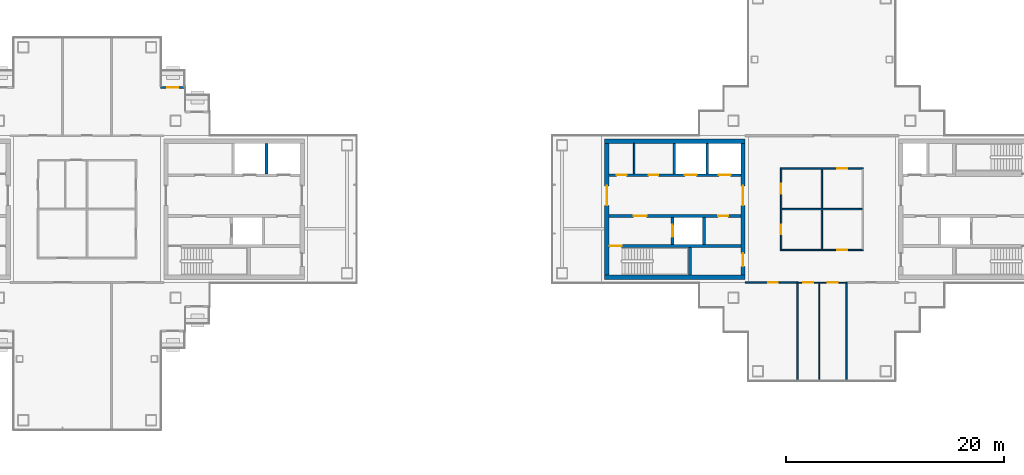
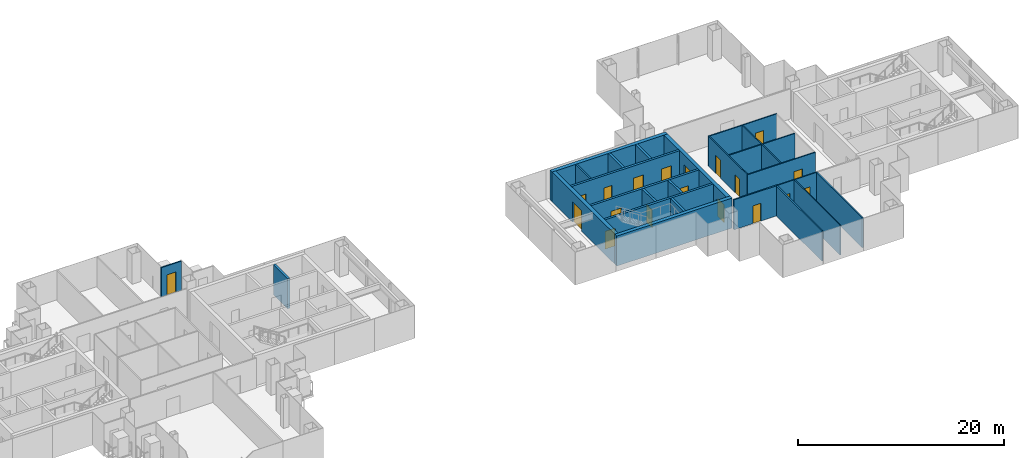
# One storey, part 10 of 15: 25 walls, 19 doors, 19 openings.
"""IFC4 building model written with IfcOpenShell, lengths in metres."""

from ifc_helpers import new_model, si_unit, direction, frame, frame_2d, origin, place, context, subcontext, project, spatial, rectangle, extrude, material, layer, layer_set, type_object, element, fill, save


model = new_model("IFC4")

# Units and contexts
model_context = context("Model", 3, precision=1e-05, world=origin(), true_north=direction((0.0, 1.0)))
body_context = subcontext(model_context, "Body", "Model", "MODEL_VIEW")
ifc_project = project(units=[si_unit("LENGTHUNIT", "METRE"), si_unit("AREAUNIT", "SQUARE_METRE"), si_unit("VOLUMEUNIT", "CUBIC_METRE"), si_unit("PLANEANGLEUNIT", "RADIAN"), si_unit("MASSUNIT", "GRAM", prefix="KILO")], contexts=[model_context])

# Site, building, storey
site_placement = place(None, origin())
site = spatial("IfcSite", under=ifc_project, at=site_placement, CompositionType="ELEMENT")
building_placement = place(site_placement, origin())
building = spatial("IfcBuilding", under=site, at=building_placement, Name="Shamsa Quay Exchange Towers", CompositionType="ELEMENT")
storey_placement = place(building_placement, frame((0.0, 0.0, 206.10009765625)))
storey = spatial("IfcBuildingStorey", under=building, at=storey_placement, Name="L49", CompositionType="ELEMENT", Elevation=206.10009765625)

# Wall, opening, door
ifc_material_1 = material(Name="Aluminium EN AW-6063 T6, black anodised, with black enamelled glass infill", Category="aluminium")
ifc_layer_1 = layer(ifc_material_1, 0.14990234375)
ifc_layer_set_1 = layer_set([ifc_layer_1], Name="BALCONY DOOR BAY WALL 150")
wall_type_1 = type_object("IfcWallType", Name="BALCONY DOOR BAY WALL 150", PredefinedType="SOLIDWALL", material=ifc_layer_set_1)
wall_1_placement = place(storey_placement, frame((-27.0, 11.175048828125, 0.0)))
wall_1 = element("IfcWall", 1, at=wall_1_placement, inside=storey, type_object=wall_type_1, Name="Door bay T1-PKEN L49", PredefinedType="SOLIDWALL", context=body_context, shape_type="SweptSolid", body=[
    extrude(rectangle(XDim=2.25, YDim=0.14990234375, at=frame_2d((1.125, 0.0))), origin(), (0.0, 0.0, 1.0), 3.449951171875),
])
opening_1_placement = place(wall_1_placement, frame((0.625, 0.0, 0.0)))
opening_1 = element("IfcOpeningElement", 2, at=opening_1_placement, cuts=wall_1, Name="Opening XD322", PredefinedType="OPENING", context=body_context, shape_type="SweptSolid", body=[
    extrude(rectangle(XDim=1.0, YDim=2.39990234375, at=frame_2d((0.5, 1.199951171875))), frame((0.0, 0.0849609375, 0.0), z_axis=(0.0, -1.0, 0.0), x_axis=(1.0, 0.0, 0.0)), (0.0, 0.0, 1.0), 0.169921875),
])
ifc_material_2 = material(Name="Aluminium EN AW-6063 T6, black anodised, with laminated glass leaf", Category="aluminium")
door_type_1 = type_object("IfcDoorType", Name="BALCONY DOOR 1000x2400", OperationType="SINGLE_SWING_LEFT", PredefinedType="DOOR", material=ifc_material_2)
door_1_placement = place(opening_1_placement, origin())
door_1 = element("IfcDoor", 3, at=door_1_placement, inside=storey, type_object=door_type_1, Name="Balcony door T1-PKEN L49", OperationType="SINGLE_SWING_LEFT", OverallHeight=2.39990234375, OverallWidth=1.0, PredefinedType="DOOR", context=body_context, shape_type="SweptSolid", body=[
    extrude(rectangle(XDim=1.0, YDim=2.39990234375, at=frame_2d((0.5, 1.199951171875))), frame((0.0, 0.02490234375, 0.0), z_axis=(0.0, -1.0, 0.0), x_axis=(1.0, 0.0, 0.0)), (0.0, 0.0, 1.0), 0.050048828125),
])
fill(opening_1, door_1)

# Walls
ifc_material_3 = material(Name="Concrete C60/75", Category="concrete")
ifc_layer_2 = layer(ifc_material_3, 0.39990234375)
ifc_layer_set_2 = layer_set([ifc_layer_2], Name="CORE WALL 400 C60/75")
wall_type_2 = type_object("IfcWallType", Name="CORE WALL 400 C60/75", PredefinedType="SHEAR", material=ifc_layer_set_2)
for number, where, name in (
    (4, (13.800048828125, -6.25, 0.0), "Core wall T2A-R22-PS"),
    (5, (13.800048828125, 6.25, 0.0), "Core wall T2A-R22-PN"),
):
    element("IfcWall", number, at=place(storey_placement, frame(where)), inside=storey, type_object=wall_type_2, Name=name, PredefinedType="SHEAR", context=body_context, shape_type="SweptSolid", body=[
        extrude(rectangle(XDim=12.89990234375, YDim=0.39990234375, at=frame_2d((6.449951171875, 0.0))), origin(), (0.0, 0.0, 1.0), 3.5498046875),
    ])

# Wall, opening, door
wall_2_placement = place(storey_placement, frame((14.0, 6.050048828125, 0.0), z_axis=(0.0, 0.0, 1.0), x_axis=(0.0, -1.0, 0.0)))
wall_2 = element("IfcWall", 6, at=wall_2_placement, inside=storey, type_object=wall_type_2, Name="Core wall T2A-R22-PF", PredefinedType="SHEAR", context=body_context, shape_type="SweptSolid", body=[
    extrude(rectangle(XDim=12.10009765625, YDim=0.39990234375, at=frame_2d((6.050048828125, 0.0))), origin(), (0.0, 0.0, 1.0), 3.5498046875),
])
opening_2_placement = place(wall_2_placement, frame((3.89990234375, 0.0, 0.0)))
opening_2 = element("IfcOpeningElement", 7, at=opening_2_placement, cuts=wall_2, Name="Opening T2A-R22-LBD01", PredefinedType="OPENING", context=body_context, shape_type="SweptSolid", body=[
    extrude(rectangle(XDim=1.800048828125, YDim=2.39990234375, at=frame_2d((0.89990234375, 1.199951171875))), frame((0.0, 0.2099609375, 0.0), z_axis=(0.0, -1.0, 0.0), x_axis=(1.0, 0.0, 0.0)), (0.0, 0.0, 1.0), 0.419921875),
])
ifc_material_4 = material(Name="Steel, fire rated", Category="steel")
door_type_2 = type_object("IfcDoorType", Name="LIFT LOBBY DOOR PAIR 1800", OperationType="DOUBLE_DOOR_SINGLE_SWING", PredefinedType="DOOR", material=ifc_material_4)
door_2_placement = place(opening_2_placement, origin())
door_2 = element("IfcDoor", 8, at=door_2_placement, inside=storey, type_object=door_type_2, Name="T2A-R22-LBD01", OperationType="DOUBLE_DOOR_SINGLE_SWING", OverallHeight=2.39990234375, OverallWidth=1.800048828125, PredefinedType="DOOR", context=body_context, shape_type="SweptSolid", body=[
    extrude(rectangle(XDim=1.800048828125, YDim=2.39990234375, at=frame_2d((0.89990234375, 1.199951171875))), frame((0.0, 0.02490234375, 0.0), z_axis=(0.0, -1.0, 0.0), x_axis=(1.0, 0.0, 0.0)), (0.0, 0.0, 1.0), 0.050048828125),
])
fill(opening_2, door_2)

# Wall, openings, doors
wall_3_placement = place(storey_placement, frame((26.5, 6.050048828125, 0.0), z_axis=(0.0, 0.0, 1.0), x_axis=(0.0, -1.0, 0.0)))
wall_3 = element("IfcWall", 9, at=wall_3_placement, inside=storey, type_object=wall_type_2, Name="Core wall T2A-R22-PB", PredefinedType="SHEAR", context=body_context, shape_type="SweptSolid", body=[
    extrude(rectangle(XDim=12.10009765625, YDim=0.39990234375, at=frame_2d((6.050048828125, 0.0))), origin(), (0.0, 0.0, 1.0), 3.5498046875),
])
opening_3_placement = place(wall_3_placement, frame((10.10009765625, 0.0, 0.0)))
opening_3 = element("IfcOpeningElement", 10, at=opening_3_placement, cuts=wall_3, Name="Opening T2A-R22-RD02", PredefinedType="OPENING", context=body_context, shape_type="SweptSolid", body=[
    extrude(rectangle(XDim=1.199951171875, YDim=2.10009765625, at=frame_2d((0.60009765625, 1.050048828125))), frame((0.0, 0.2099609375, 0.0), z_axis=(0.0, -1.0, 0.0), x_axis=(1.0, 0.0, 0.0)), (0.0, 0.0, 1.0), 0.419921875),
])
opening_4_placement = place(wall_3_placement, frame((3.89990234375, 0.0, 0.0)))
opening_4 = element("IfcOpeningElement", 11, at=opening_4_placement, cuts=wall_3, Name="Opening T2A-R22-LBD03", PredefinedType="OPENING", context=body_context, shape_type="SweptSolid", body=[
    extrude(rectangle(XDim=1.800048828125, YDim=2.39990234375, at=frame_2d((0.89990234375, 1.199951171875))), frame((0.0, 0.2099609375, 0.0), z_axis=(0.0, -1.0, 0.0), x_axis=(1.0, 0.0, 0.0)), (0.0, 0.0, 1.0), 0.419921875),
])
door_3_placement = place(opening_4_placement, origin())
door_3 = element("IfcDoor", 12, at=door_3_placement, inside=storey, type_object=door_type_2, Name="T2A-R22-LBD03", OperationType="DOUBLE_DOOR_SINGLE_SWING", OverallHeight=2.39990234375, OverallWidth=1.800048828125, PredefinedType="DOOR", context=body_context, shape_type="SweptSolid", body=[
    extrude(rectangle(XDim=1.800048828125, YDim=2.39990234375, at=frame_2d((0.89990234375, 1.199951171875))), frame((0.0, 0.02490234375, 0.0), z_axis=(0.0, -1.0, 0.0), x_axis=(1.0, 0.0, 0.0)), (0.0, 0.0, 1.0), 0.050048828125),
])
fill(opening_4, door_3)
door_type_3 = type_object("IfcDoorType", Name="RISER ACCESS DOOR 1200", OperationType="SINGLE_SWING_LEFT", PredefinedType="DOOR", material=ifc_material_4)
door_4_placement = place(opening_3_placement, origin())
door_4 = element("IfcDoor", 13, at=door_4_placement, inside=storey, type_object=door_type_3, Name="T2A-R22-RD02", OperationType="SINGLE_SWING_RIGHT", OverallHeight=2.10009765625, OverallWidth=1.199951171875, PredefinedType="DOOR", context=body_context, shape_type="SweptSolid", body=[
    extrude(rectangle(XDim=1.199951171875, YDim=2.10009765625, at=frame_2d((0.60009765625, 1.050048828125))), frame((0.0, 0.02490234375, 0.0), z_axis=(0.0, -1.0, 0.0), x_axis=(1.0, 0.0, 0.0)), (0.0, 0.0, 1.0), 0.050048828125),
])
fill(opening_3, door_4)

# Wall
ifc_material_5 = material(Name="Gypsum board on steel studs, EI 60", Category="steel")
ifc_layer_3 = layer(ifc_material_5, 0.14990234375)
ifc_layer_set_3 = layer_set([ifc_layer_3], Name="FIRE PARTITION 150")
wall_type_3 = type_object("IfcWallType", Name="FIRE PARTITION 150", PredefinedType="PARTITIONING", material=ifc_layer_set_3)
wall_4_placement = place(storey_placement, frame((16.5, 3.25, 0.0), z_axis=(0.0, 0.0, 1.0), x_axis=(0.0, 1.0, 0.0)))
element("IfcWall", 14, at=wall_4_placement, inside=storey, type_object=wall_type_3, Name="Partition T2A-R22-FC0", PredefinedType="PARTITIONING", context=body_context, shape_type="SweptSolid", body=[
    extrude(rectangle(XDim=2.800048828125, YDim=0.14990234375, at=frame_2d((1.39990234375, 0.0))), origin(), (0.0, 0.0, 1.0), 3.5498046875),
])

# Wall, openings, doors
ifc_material_6 = material(Name="Laminated fire-resisting glass in a metal frame", Category="glass")
ifc_layer_4 = layer(ifc_material_6, 0.125)
ifc_layer_set_4 = layer_set([ifc_layer_4], Name="Glazed partition 125 mm EI 60")
wall_type_4 = type_object("IfcWallType", Name="Glazed partition 125 mm EI 60", PredefinedType="PARTITIONING", material=ifc_layer_set_4)
wall_5_placement = place(storey_placement, frame((30.0, 3.6875, 0.0), z_axis=(0.0, 0.0, 1.0), x_axis=(0.0, -1.0, 0.0)))
wall_5 = element("IfcWall", 15, at=wall_5_placement, inside=storey, type_object=wall_type_4, Name="Partition T2-R22-W01", PredefinedType="PARTITIONING", context=body_context, shape_type="SweptSolid", body=[
    extrude(rectangle(XDim=7.375, YDim=0.125, at=frame_2d((3.6875, 0.0))), origin(), (0.0, 0.0, 1.0), 3.5498046875),
])
opening_5_placement = place(wall_5_placement, frame((5.112548828125, 0.0, 0.0)))
opening_5 = element("IfcOpeningElement", 16, at=opening_5_placement, cuts=wall_5, Name="Opening T2-R22-D06", PredefinedType="OPENING", context=body_context, shape_type="SweptSolid", body=[
    extrude(rectangle(XDim=0.89990234375, YDim=2.10009765625, at=frame_2d((0.449951171875, 1.050048828125))), frame((0.0, 0.072509765625, 0.0), z_axis=(0.0, -1.0, 0.0), x_axis=(1.0, 0.0, 0.0)), (0.0, 0.0, 1.0), 0.14501953125),
])
opening_6_placement = place(wall_5_placement, frame((1.362548828125, 0.0, 0.0)))
opening_6 = element("IfcOpeningElement", 17, at=opening_6_placement, cuts=wall_5, Name="Opening T2-R22-D07", PredefinedType="OPENING", context=body_context, shape_type="SweptSolid", body=[
    extrude(rectangle(XDim=0.89990234375, YDim=2.10009765625, at=frame_2d((0.449951171875, 1.050048828125))), frame((0.0, 0.072509765625, 0.0), z_axis=(0.0, -1.0, 0.0), x_axis=(1.0, 0.0, 0.0)), (0.0, 0.0, 1.0), 0.14501953125),
])
ifc_material_7 = material(Name="Timber door leaf in a metal frame", Category="wood")
door_type_4 = type_object("IfcDoorType", Name="Door 900x2100 FD30S", OperationType="NOTDEFINED", PredefinedType="DOOR", material=ifc_material_7)
door_5_placement = place(opening_5_placement, origin())
door_5 = element("IfcDoor", 18, at=door_5_placement, inside=storey, type_object=door_type_4, Name="Door T2-R22-D06", OperationType="SINGLE_SWING_LEFT", OverallHeight=2.10009765625, OverallWidth=0.89990234375, PredefinedType="DOOR", context=body_context, shape_type="SweptSolid", body=[
    extrude(rectangle(XDim=0.89990234375, YDim=2.10009765625, at=frame_2d((0.449951171875, 1.050048828125))), frame((0.0, 0.02490234375, 0.0), z_axis=(0.0, -1.0, 0.0), x_axis=(1.0, 0.0, 0.0)), (0.0, 0.0, 1.0), 0.050048828125),
])
fill(opening_5, door_5)
door_6_placement = place(opening_6_placement, origin())
door_6 = element("IfcDoor", 19, at=door_6_placement, inside=storey, type_object=door_type_4, Name="Door T2-R22-D07", OperationType="SINGLE_SWING_LEFT", OverallHeight=2.10009765625, OverallWidth=0.89990234375, PredefinedType="DOOR", context=body_context, shape_type="SweptSolid", body=[
    extrude(rectangle(XDim=0.89990234375, YDim=2.10009765625, at=frame_2d((0.449951171875, 1.050048828125))), frame((0.0, 0.02490234375, 0.0), z_axis=(0.0, -1.0, 0.0), x_axis=(1.0, 0.0, 0.0)), (0.0, 0.0, 1.0), 0.050048828125),
])
fill(opening_6, door_6)

# Wall, opening, door
wall_6_placement = place(storey_placement, frame((37.5625, 3.75, 0.0), z_axis=(0.0, 0.0, 1.0), x_axis=(-1.0, 0.0, 0.0)))
wall_6 = element("IfcWall", 20, at=wall_6_placement, inside=storey, type_object=wall_type_4, Name="Partition T2-R22-W02", PredefinedType="PARTITIONING", context=body_context, shape_type="SweptSolid", body=[
    extrude(rectangle(XDim=7.625, YDim=0.125, at=frame_2d((3.8125, 0.0))), origin(), (0.0, 0.0, 1.0), 3.5498046875),
])
opening_7_placement = place(wall_6_placement, frame((1.487548828125, 0.0, 0.0)))
opening_7 = element("IfcOpeningElement", 21, at=opening_7_placement, cuts=wall_6, Name="Opening T2-R22-D08", PredefinedType="OPENING", context=body_context, shape_type="SweptSolid", body=[
    extrude(rectangle(XDim=0.89990234375, YDim=2.10009765625, at=frame_2d((0.449951171875, 1.050048828125))), frame((0.0, 0.072509765625, 0.0), z_axis=(0.0, -1.0, 0.0), x_axis=(1.0, 0.0, 0.0)), (0.0, 0.0, 1.0), 0.14501953125),
])
door_7_placement = place(opening_7_placement, origin())
door_7 = element("IfcDoor", 22, at=door_7_placement, inside=storey, type_object=door_type_4, Name="Door T2-R22-D08", OperationType="SINGLE_SWING_LEFT", OverallHeight=2.10009765625, OverallWidth=0.89990234375, PredefinedType="DOOR", context=body_context, shape_type="SweptSolid", body=[
    extrude(rectangle(XDim=0.89990234375, YDim=2.10009765625, at=frame_2d((0.449951171875, 1.050048828125))), frame((0.0, 0.02490234375, 0.0), z_axis=(0.0, -1.0, 0.0), x_axis=(1.0, 0.0, 0.0)), (0.0, 0.0, 1.0), 0.050048828125),
])
fill(opening_7, door_7)

wall_7_placement = place(storey_placement, frame((29.9375, -3.75, 0.0)))
wall_7 = element("IfcWall", 23, at=wall_7_placement, inside=storey, type_object=wall_type_4, Name="Partition T2-R22-W03", PredefinedType="PARTITIONING", context=body_context, shape_type="SweptSolid", body=[
    extrude(rectangle(XDim=7.625, YDim=0.125, at=frame_2d((3.8125, 0.0))), origin(), (0.0, 0.0, 1.0), 3.5498046875),
])
opening_8_placement = place(wall_7_placement, frame((5.237548828125, 0.0, 0.0)))
opening_8 = element("IfcOpeningElement", 24, at=opening_8_placement, cuts=wall_7, Name="Opening T2-R22-D02", PredefinedType="OPENING", context=body_context, shape_type="SweptSolid", body=[
    extrude(rectangle(XDim=0.89990234375, YDim=2.10009765625, at=frame_2d((0.449951171875, 1.050048828125))), frame((0.0, 0.072509765625, 0.0), z_axis=(0.0, -1.0, 0.0), x_axis=(1.0, 0.0, 0.0)), (0.0, 0.0, 1.0), 0.14501953125),
])
door_8_placement = place(opening_8_placement, origin())
door_8 = element("IfcDoor", 25, at=door_8_placement, inside=storey, type_object=door_type_4, Name="Door T2-R22-D02", OperationType="SINGLE_SWING_RIGHT", OverallHeight=2.10009765625, OverallWidth=0.89990234375, PredefinedType="DOOR", context=body_context, shape_type="SweptSolid", body=[
    extrude(rectangle(XDim=0.89990234375, YDim=2.10009765625, at=frame_2d((0.449951171875, 1.050048828125))), frame((0.0, 0.02490234375, 0.0), z_axis=(0.0, -1.0, 0.0), x_axis=(1.0, 0.0, 0.0)), (0.0, 0.0, 1.0), 0.050048828125),
])
fill(opening_8, door_8)

# Walls
wall_8_placement = place(storey_placement, frame((30.0625, 0.0, 0.0)))
element("IfcWall", 26, at=wall_8_placement, inside=storey, type_object=wall_type_4, Name="Partition T2-R22-W09", PredefinedType="PARTITIONING", context=body_context, shape_type="SweptSolid", body=[
    extrude(rectangle(XDim=7.375, YDim=0.125, at=frame_2d((3.6875, 0.0))), origin(), (0.0, 0.0, 1.0), 3.5498046875),
])
wall_9_placement = place(storey_placement, frame((33.75, -3.6875, 0.0), z_axis=(0.0, 0.0, 1.0), x_axis=(0.0, 1.0, 0.0)))
element("IfcWall", 27, at=wall_9_placement, inside=storey, type_object=wall_type_4, Name="Partition T2-R22-W10", PredefinedType="PARTITIONING", context=body_context, shape_type="SweptSolid", body=[
    extrude(rectangle(XDim=7.375, YDim=0.125, at=frame_2d((3.6875, 0.0))), origin(), (0.0, 0.0, 1.0), 3.5498046875),
])

# Wall, openings, doors
ifc_material_8 = material(Name="Gypsum board partition on metal studs")
ifc_layer_5 = layer(ifc_material_8, 0.10009765625)
ifc_layer_set_5 = layer_set([ifc_layer_5], Name="Partition 100 mm NOT RATED")
wall_type_5 = type_object("IfcWallType", Name="Partition 100 mm NOT RATED", PredefinedType="PARTITIONING", material=ifc_layer_set_5)
wall_10_placement = place(storey_placement, frame((36.074951171875, -6.75, 0.0), z_axis=(0.0, 0.0, 1.0), x_axis=(-1.0, 0.0, 0.0)))
wall_10 = element("IfcWall", 28, at=wall_10_placement, inside=storey, type_object=wall_type_5, Name="Partition T2-R22-W08", PredefinedType="PARTITIONING", context=body_context, shape_type="SweptSolid", body=[
    extrude(rectangle(XDim=4.64990234375, YDim=0.10009765625, at=frame_2d((2.324951171875, 0.0))), origin(), (0.0, 0.0, 1.0), 3.5498046875),
])
opening_9_placement = place(wall_10_placement, frame((3.125, 0.0, 0.0)))
opening_9 = element("IfcOpeningElement", 29, at=opening_9_placement, cuts=wall_10, Name="Opening T2-R22-D04", PredefinedType="OPENING", context=body_context, shape_type="SweptSolid", body=[
    extrude(rectangle(XDim=0.89990234375, YDim=2.10009765625, at=frame_2d((0.449951171875, 1.050048828125))), frame((0.0, 0.06005859375, 0.0), z_axis=(0.0, -1.0, 0.0), x_axis=(1.0, 0.0, 0.0)), (0.0, 0.0, 1.0), 0.1201171875),
])
opening_10_placement = place(wall_10_placement, frame((0.875, 0.0, 0.0)))
opening_10 = element("IfcOpeningElement", 30, at=opening_10_placement, cuts=wall_10, Name="Opening T2-R22-D05", PredefinedType="OPENING", context=body_context, shape_type="SweptSolid", body=[
    extrude(rectangle(XDim=0.89990234375, YDim=2.10009765625, at=frame_2d((0.449951171875, 1.050048828125))), frame((0.0, 0.06005859375, 0.0), z_axis=(0.0, -1.0, 0.0), x_axis=(1.0, 0.0, 0.0)), (0.0, 0.0, 1.0), 0.1201171875),
])
door_type_5 = type_object("IfcDoorType", Name="Door 900x2100 NOT RATED", OperationType="NOTDEFINED", PredefinedType="DOOR", material=ifc_material_7)
door_9_placement = place(opening_9_placement, origin())
door_9 = element("IfcDoor", 31, at=door_9_placement, inside=storey, type_object=door_type_5, Name="Door T2-R22-D04", OperationType="SINGLE_SWING_RIGHT", OverallHeight=2.10009765625, OverallWidth=0.89990234375, PredefinedType="DOOR", context=body_context, shape_type="SweptSolid", body=[
    extrude(rectangle(XDim=0.89990234375, YDim=2.10009765625, at=frame_2d((0.449951171875, 1.050048828125))), frame((0.0, 0.02490234375, 0.0), z_axis=(0.0, -1.0, 0.0), x_axis=(1.0, 0.0, 0.0)), (0.0, 0.0, 1.0), 0.050048828125),
])
fill(opening_9, door_9)
door_10_placement = place(opening_10_placement, origin())
door_10 = element("IfcDoor", 32, at=door_10_placement, inside=storey, type_object=door_type_5, Name="Door T2-R22-D05", OperationType="SINGLE_SWING_LEFT", OverallHeight=2.10009765625, OverallWidth=0.89990234375, PredefinedType="DOOR", context=body_context, shape_type="SweptSolid", body=[
    extrude(rectangle(XDim=0.89990234375, YDim=2.10009765625, at=frame_2d((0.449951171875, 1.050048828125))), frame((0.0, 0.02490234375, 0.0), z_axis=(0.0, -1.0, 0.0), x_axis=(1.0, 0.0, 0.0)), (0.0, 0.0, 1.0), 0.050048828125),
])
fill(opening_10, door_10)

# Wall
wall_11_placement = place(storey_placement, frame((33.5, -6.800048828125, 0.0), z_axis=(0.0, 0.0, 1.0), x_axis=(0.0, -1.0, 0.0)))
element("IfcWall", 33, at=wall_11_placement, inside=storey, type_object=wall_type_5, Name="Partition T2-R22-W12", PredefinedType="PARTITIONING", context=body_context, shape_type="SweptSolid", body=[
    extrude(rectangle(XDim=8.85498046875, YDim=0.10009765625, at=frame_2d((4.427490234375, 0.0))), origin(), (0.0, 0.0, 1.0), 3.5498046875),
])

# Wall, opening, door
ifc_layer_6 = layer(ifc_material_8, 0.14990234375)
ifc_layer_set_6 = layer_set([ifc_layer_6], Name="Partition 150 mm EI 60")
wall_type_6 = type_object("IfcWallType", Name="Partition 150 mm EI 60", PredefinedType="PARTITIONING", material=ifc_layer_set_6)
wall_12_placement = place(storey_placement, frame((31.574951171875, -6.75, 0.0), z_axis=(0.0, 0.0, 1.0), x_axis=(-1.0, 0.0, 0.0)))
wall_12 = element("IfcWall", 34, at=wall_12_placement, inside=storey, type_object=wall_type_6, Name="Partition T2-R22-W06", PredefinedType="PARTITIONING", context=body_context, shape_type="SweptSolid", body=[
    extrude(rectangle(XDim=4.875, YDim=0.14990234375, at=frame_2d((2.4375, 0.0))), origin(), (0.0, 0.0, 1.0), 3.5498046875),
])
opening_11_placement = place(wall_12_placement, frame((1.875, 0.0, 0.0)))
opening_11 = element("IfcOpeningElement", 35, at=opening_11_placement, cuts=wall_12, Name="Opening T2-R22-D09", PredefinedType="OPENING", context=body_context, shape_type="SweptSolid", body=[
    extrude(rectangle(XDim=0.89990234375, YDim=2.10009765625, at=frame_2d((0.449951171875, 1.050048828125))), frame((0.0, 0.0849609375, 0.0), z_axis=(0.0, -1.0, 0.0), x_axis=(1.0, 0.0, 0.0)), (0.0, 0.0, 1.0), 0.169921875),
])
door_11_placement = place(opening_11_placement, origin())
door_11 = element("IfcDoor", 36, at=door_11_placement, inside=storey, type_object=door_type_4, Name="Door T2-R22-D09", OperationType="SINGLE_SWING_LEFT", OverallHeight=2.10009765625, OverallWidth=0.89990234375, PredefinedType="DOOR", context=body_context, shape_type="SweptSolid", body=[
    extrude(rectangle(XDim=0.89990234375, YDim=2.10009765625, at=frame_2d((0.449951171875, 1.050048828125))), frame((0.0, 0.02490234375, 0.0), z_axis=(0.0, -1.0, 0.0), x_axis=(1.0, 0.0, 0.0)), (0.0, 0.0, 1.0), 0.050048828125),
])
fill(opening_11, door_11)

# Walls
for number, where, z_axis, x_axis, name in (
    (37, (36.0, -6.824951171875, 0.0), (0.0, 0.0, 1.0), (0.0, -1.0, 0.0), "Partition T2-R22-W11"),
    (38, (31.5, -6.824951171875, 0.0), (0.0, 0.0, 1.0), (0.0, -1.0, 0.0), "Partition T2-R22-W13"),
):
    element("IfcWall", number, at=place(storey_placement, frame(where, z_axis=z_axis, x_axis=x_axis)), inside=storey, type_object=wall_type_6, Name=name, PredefinedType="PARTITIONING", context=body_context, shape_type="SweptSolid", body=[
        extrude(rectangle(XDim=8.830078125, YDim=0.14990234375, at=frame_2d((4.4150390625, 0.0))), origin(), (0.0, 0.0, 1.0), 3.5498046875),
    ])
ifc_material_9 = material(Name="Concrete C50/60", Category="concrete")
ifc_layer_7 = layer(ifc_material_9, 0.25)
ifc_layer_set_7 = layer_set([ifc_layer_7], Name="SHAFT WALL 250 C50/60")
wall_type_7 = type_object("IfcWallType", Name="SHAFT WALL 250 C50/60", PredefinedType="SHEAR", material=ifc_layer_set_7)
wall_13_placement = place(storey_placement, frame((-17.27490234375, 3.25, 0.0), z_axis=(0.0, 0.0, 1.0), x_axis=(0.0, 1.0, 0.0)))
element("IfcWall", 39, at=wall_13_placement, inside=storey, type_object=wall_type_7, Name="Shaft wall T1A-R22-D2", PredefinedType="SHEAR", context=body_context, shape_type="SweptSolid", body=[
    extrude(rectangle(XDim=2.800048828125, YDim=0.25, at=frame_2d((1.39990234375, 0.0))), origin(), (0.0, 0.0, 1.0), 3.5498046875),
])

# Wall, opening, door
wall_14_placement = place(storey_placement, frame((26.300048828125, -3.375, 0.0), z_axis=(0.0, 0.0, 1.0), x_axis=(-1.0, 0.0, 0.0)))
wall_14 = element("IfcWall", 40, at=wall_14_placement, inside=storey, type_object=wall_type_7, Name="Shaft wall T2A-R22-STL", PredefinedType="SHEAR", context=body_context, shape_type="SweptSolid", body=[
    extrude(rectangle(XDim=12.10009765625, YDim=0.25, at=frame_2d((6.050048828125, 0.0))), origin(), (0.0, 0.0, 1.0), 3.5498046875),
])
opening_12_placement = place(wall_14_placement, frame((10.949951171875, 0.0, 0.0)))
opening_12 = element("IfcOpeningElement", 41, at=opening_12_placement, cuts=wall_14, Name="Opening T2A-R22-SD04", PredefinedType="OPENING", context=body_context, shape_type="SweptSolid", body=[
    extrude(rectangle(XDim=1.10009765625, YDim=2.10009765625, at=frame_2d((0.550048828125, 1.050048828125))), frame((0.0, 0.135009765625, 0.0), z_axis=(0.0, -1.0, 0.0), x_axis=(1.0, 0.0, 0.0)), (0.0, 0.0, 1.0), 0.27001953125),
])
door_type_6 = type_object("IfcDoorType", Name="STAIR DOOR 1100", OperationType="SINGLE_SWING_LEFT", PredefinedType="DOOR", material=ifc_material_4)
door_12_placement = place(opening_12_placement, origin())
door_12 = element("IfcDoor", 42, at=door_12_placement, inside=storey, type_object=door_type_6, Name="T2A-R22-SD04", OperationType="SINGLE_SWING_RIGHT", OverallHeight=2.10009765625, OverallWidth=1.10009765625, PredefinedType="DOOR", context=body_context, shape_type="SweptSolid", body=[
    extrude(rectangle(XDim=1.10009765625, YDim=2.10009765625, at=frame_2d((0.550048828125, 1.050048828125))), frame((0.0, 0.02490234375, 0.0), z_axis=(0.0, -1.0, 0.0), x_axis=(1.0, 0.0, 0.0)), (0.0, 0.0, 1.0), 0.050048828125),
])
fill(opening_12, door_12)

# Wall
wall_15_placement = place(storey_placement, frame((21.625, -6.050048828125, 0.0), z_axis=(0.0, 0.0, 1.0), x_axis=(0.0, 1.0, 0.0)))
element("IfcWall", 43, at=wall_15_placement, inside=storey, type_object=wall_type_7, Name="Shaft wall T2A-R22-STF", PredefinedType="SHEAR", context=body_context, shape_type="SweptSolid", body=[
    extrude(rectangle(XDim=2.550048828125, YDim=0.25, at=frame_2d((1.27490234375, 0.0))), origin(), (0.0, 0.0, 1.0), 3.5498046875),
])

# Wall, openings, doors
wall_16_placement = place(storey_placement, frame((26.300048828125, -0.625, 0.0), z_axis=(0.0, 0.0, 1.0), x_axis=(-1.0, 0.0, 0.0)))
wall_16 = element("IfcWall", 44, at=wall_16_placement, inside=storey, type_object=wall_type_7, Name="Shaft wall T2A-R22-B", PredefinedType="SHEAR", context=body_context, shape_type="SweptSolid", body=[
    extrude(rectangle(XDim=12.10009765625, YDim=0.25, at=frame_2d((6.050048828125, 0.0))), origin(), (0.0, 0.0, 1.0), 3.5498046875),
])
opening_13_placement = place(wall_16_placement, frame((8.64990234375, 0.0, 0.0)))
opening_13 = element("IfcOpeningElement", 45, at=opening_13_placement, cuts=wall_16, Name="Opening T2A-R22-FD05", PredefinedType="OPENING", context=body_context, shape_type="SweptSolid", body=[
    extrude(rectangle(XDim=1.199951171875, YDim=2.10009765625, at=frame_2d((0.60009765625, 1.050048828125))), frame((0.0, 0.135009765625, 0.0), z_axis=(0.0, -1.0, 0.0), x_axis=(1.0, 0.0, 0.0)), (0.0, 0.0, 1.0), 0.27001953125),
])
opening_14_placement = place(wall_16_placement, frame((1.175048828125, 0.0, 0.0)))
opening_14 = element("IfcOpeningElement", 46, at=opening_14_placement, cuts=wall_16, Name="Opening T2A-R22-SV06", PredefinedType="OPENING", context=body_context, shape_type="SweptSolid", body=[
    extrude(rectangle(XDim=0.89990234375, YDim=2.10009765625, at=frame_2d((0.449951171875, 1.050048828125))), frame((0.0, 0.135009765625, 0.0), z_axis=(0.0, -1.0, 0.0), x_axis=(1.0, 0.0, 0.0)), (0.0, 0.0, 1.0), 0.27001953125),
])
door_type_7 = type_object("IfcDoorType", Name="FIRE SERVICE LOBBY DOOR 1200", OperationType="SINGLE_SWING_LEFT", PredefinedType="DOOR", material=ifc_material_4)
door_13_placement = place(opening_13_placement, origin())
door_13 = element("IfcDoor", 47, at=door_13_placement, inside=storey, type_object=door_type_7, Name="T2A-R22-FD05", OperationType="SINGLE_SWING_RIGHT", OverallHeight=2.10009765625, OverallWidth=1.199951171875, PredefinedType="DOOR", context=body_context, shape_type="SweptSolid", body=[
    extrude(rectangle(XDim=1.199951171875, YDim=2.10009765625, at=frame_2d((0.60009765625, 1.050048828125))), frame((0.0, 0.02490234375, 0.0), z_axis=(0.0, -1.0, 0.0), x_axis=(1.0, 0.0, 0.0)), (0.0, 0.0, 1.0), 0.050048828125),
])
fill(opening_13, door_13)
door_type_8 = type_object("IfcDoorType", Name="SERVICE ROOM DOOR 900", OperationType="SINGLE_SWING_LEFT", PredefinedType="DOOR", material=ifc_material_4)
door_14_placement = place(opening_14_placement, origin())
door_14 = element("IfcDoor", 48, at=door_14_placement, inside=storey, type_object=door_type_8, Name="T2A-R22-SV06", OperationType="SINGLE_SWING_LEFT", OverallHeight=2.10009765625, OverallWidth=0.89990234375, PredefinedType="DOOR", context=body_context, shape_type="SweptSolid", body=[
    extrude(rectangle(XDim=0.89990234375, YDim=2.10009765625, at=frame_2d((0.449951171875, 1.050048828125))), frame((0.0, 0.02490234375, 0.0), z_axis=(0.0, -1.0, 0.0), x_axis=(1.0, 0.0, 0.0)), (0.0, 0.0, 1.0), 0.050048828125),
])
fill(opening_14, door_14)

# Wall, opening, door
wall_17_placement = place(storey_placement, frame((20.02490234375, -3.25, 0.0), z_axis=(0.0, 0.0, 1.0), x_axis=(0.0, 1.0, 0.0)))
wall_17 = element("IfcWall", 49, at=wall_17_placement, inside=storey, type_object=wall_type_7, Name="Shaft wall T2A-R22-FFF", PredefinedType="SHEAR", context=body_context, shape_type="SweptSolid", body=[
    extrude(rectangle(XDim=2.5, YDim=0.25, at=frame_2d((1.25, 0.0))), origin(), (0.0, 0.0, 1.0), 3.5498046875),
])
opening_15_placement = place(wall_17_placement, frame((0.699951171875, 0.0, 0.0)))
opening_15 = element("IfcOpeningElement", 50, at=opening_15_placement, cuts=wall_17, Name="Opening T2A-R22-LDF07", PredefinedType="OPENING", context=body_context, shape_type="SweptSolid", body=[
    extrude(rectangle(XDim=1.10009765625, YDim=2.10009765625, at=frame_2d((0.550048828125, 1.050048828125))), frame((0.0, 0.135009765625, 0.0), z_axis=(0.0, -1.0, 0.0), x_axis=(1.0, 0.0, 0.0)), (0.0, 0.0, 1.0), 0.27001953125),
])
door_type_9 = type_object("IfcDoorType", Name="FIRE SERVICE LANDING DOOR 1100", OperationType="SLIDING_TO_LEFT", PredefinedType="DOOR", material=ifc_material_4)
door_15_placement = place(opening_15_placement, origin())
door_15 = element("IfcDoor", 51, at=door_15_placement, inside=storey, type_object=door_type_9, Name="T2A-R22-LDF07", OperationType="SLIDING_TO_LEFT", OverallHeight=2.10009765625, OverallWidth=1.10009765625, PredefinedType="DOOR", context=body_context, shape_type="SweptSolid", body=[
    extrude(rectangle(XDim=1.10009765625, YDim=2.10009765625, at=frame_2d((0.550048828125, 1.050048828125))), frame((0.0, 0.02490234375, 0.0), z_axis=(0.0, -1.0, 0.0), x_axis=(1.0, 0.0, 0.0)), (0.0, 0.0, 1.0), 0.050048828125),
])
fill(opening_15, door_15)

# Wall
wall_18_placement = place(storey_placement, frame((22.925048828125, -3.25, 0.0), z_axis=(0.0, 0.0, 1.0), x_axis=(0.0, 1.0, 0.0)))
element("IfcWall", 52, at=wall_18_placement, inside=storey, type_object=wall_type_7, Name="Shaft wall T2A-R22-FFB", PredefinedType="SHEAR", context=body_context, shape_type="SweptSolid", body=[
    extrude(rectangle(XDim=2.5, YDim=0.25, at=frame_2d((1.25, 0.0))), origin(), (0.0, 0.0, 1.0), 3.5498046875),
])

# Wall, openings, doors
wall_19_placement = place(storey_placement, frame((14.199951171875, 3.125, 0.0)))
wall_19 = element("IfcWall", 53, at=wall_19_placement, inside=storey, type_object=wall_type_7, Name="Shaft wall T2A-R22-N", PredefinedType="SHEAR", context=body_context, shape_type="SweptSolid", body=[
    extrude(rectangle(XDim=12.10009765625, YDim=0.25, at=frame_2d((6.050048828125, 0.0))), origin(), (0.0, 0.0, 1.0), 3.5498046875),
])
opening_16_placement = place(wall_19_placement, frame((6.949951171875, 0.0, 0.0)))
opening_16 = element("IfcOpeningElement", 54, at=opening_16_placement, cuts=wall_19, Name="Opening T2A-R22-LD08", PredefinedType="OPENING", context=body_context, shape_type="SweptSolid", body=[
    extrude(rectangle(XDim=1.10009765625, YDim=2.10009765625, at=frame_2d((0.550048828125, 1.050048828125))), frame((0.0, 0.135009765625, 0.0), z_axis=(0.0, -1.0, 0.0), x_axis=(1.0, 0.0, 0.0)), (0.0, 0.0, 1.0), 0.27001953125),
])
opening_17_placement = place(wall_19_placement, frame((10.074951171875, 0.0, 0.0)))
opening_17 = element("IfcOpeningElement", 55, at=opening_17_placement, cuts=wall_19, Name="Opening T2A-R22-LD09", PredefinedType="OPENING", context=body_context, shape_type="SweptSolid", body=[
    extrude(rectangle(XDim=1.10009765625, YDim=2.10009765625, at=frame_2d((0.550048828125, 1.050048828125))), frame((0.0, 0.135009765625, 0.0), z_axis=(0.0, -1.0, 0.0), x_axis=(1.0, 0.0, 0.0)), (0.0, 0.0, 1.0), 0.27001953125),
])
opening_18_placement = place(wall_19_placement, frame((0.699951171875, 0.0, 0.0)))
opening_18 = element("IfcOpeningElement", 56, at=opening_18_placement, cuts=wall_19, Name="Opening T2A-R22-SV10", PredefinedType="OPENING", context=body_context, shape_type="SweptSolid", body=[
    extrude(rectangle(XDim=0.89990234375, YDim=2.10009765625, at=frame_2d((0.449951171875, 1.050048828125))), frame((0.0, 0.135009765625, 0.0), z_axis=(0.0, -1.0, 0.0), x_axis=(1.0, 0.0, 0.0)), (0.0, 0.0, 1.0), 0.27001953125),
])
opening_19_placement = place(wall_19_placement, frame((3.625, 0.0, 0.0)))
opening_19 = element("IfcOpeningElement", 57, at=opening_19_placement, cuts=wall_19, Name="Opening T2A-R22-SV11", PredefinedType="OPENING", context=body_context, shape_type="SweptSolid", body=[
    extrude(rectangle(XDim=0.89990234375, YDim=2.10009765625, at=frame_2d((0.449951171875, 1.050048828125))), frame((0.0, 0.135009765625, 0.0), z_axis=(0.0, -1.0, 0.0), x_axis=(1.0, 0.0, 0.0)), (0.0, 0.0, 1.0), 0.27001953125),
])
door_type_10 = type_object("IfcDoorType", Name="LANDING DOOR 1100", OperationType="SLIDING_TO_LEFT", PredefinedType="DOOR", material=ifc_material_4)
door_16_placement = place(opening_16_placement, origin())
door_16 = element("IfcDoor", 58, at=door_16_placement, inside=storey, type_object=door_type_10, Name="T2A-R22-LD08", OperationType="SLIDING_TO_LEFT", OverallHeight=2.10009765625, OverallWidth=1.10009765625, PredefinedType="DOOR", context=body_context, shape_type="SweptSolid", body=[
    extrude(rectangle(XDim=1.10009765625, YDim=2.10009765625, at=frame_2d((0.550048828125, 1.050048828125))), frame((0.0, 0.02490234375, 0.0), z_axis=(0.0, -1.0, 0.0), x_axis=(1.0, 0.0, 0.0)), (0.0, 0.0, 1.0), 0.050048828125),
])
fill(opening_16, door_16)
door_17_placement = place(opening_17_placement, origin())
door_17 = element("IfcDoor", 59, at=door_17_placement, inside=storey, type_object=door_type_10, Name="T2A-R22-LD09", OperationType="SLIDING_TO_LEFT", OverallHeight=2.10009765625, OverallWidth=1.10009765625, PredefinedType="DOOR", context=body_context, shape_type="SweptSolid", body=[
    extrude(rectangle(XDim=1.10009765625, YDim=2.10009765625, at=frame_2d((0.550048828125, 1.050048828125))), frame((0.0, 0.02490234375, 0.0), z_axis=(0.0, -1.0, 0.0), x_axis=(1.0, 0.0, 0.0)), (0.0, 0.0, 1.0), 0.050048828125),
])
fill(opening_17, door_17)
door_18_placement = place(opening_18_placement, origin())
door_18 = element("IfcDoor", 60, at=door_18_placement, inside=storey, type_object=door_type_8, Name="T2A-R22-SV10", OperationType="SINGLE_SWING_LEFT", OverallHeight=2.10009765625, OverallWidth=0.89990234375, PredefinedType="DOOR", context=body_context, shape_type="SweptSolid", body=[
    extrude(rectangle(XDim=0.89990234375, YDim=2.10009765625, at=frame_2d((0.449951171875, 1.050048828125))), frame((0.0, 0.02490234375, 0.0), z_axis=(0.0, -1.0, 0.0), x_axis=(1.0, 0.0, 0.0)), (0.0, 0.0, 1.0), 0.050048828125),
])
fill(opening_18, door_18)
door_19_placement = place(opening_19_placement, origin())
door_19 = element("IfcDoor", 61, at=door_19_placement, inside=storey, type_object=door_type_8, Name="T2A-R22-SV11", OperationType="SINGLE_SWING_LEFT", OverallHeight=2.10009765625, OverallWidth=0.89990234375, PredefinedType="DOOR", context=body_context, shape_type="SweptSolid", body=[
    extrude(rectangle(XDim=0.89990234375, YDim=2.10009765625, at=frame_2d((0.449951171875, 1.050048828125))), frame((0.0, 0.02490234375, 0.0), z_axis=(0.0, -1.0, 0.0), x_axis=(1.0, 0.0, 0.0)), (0.0, 0.0, 1.0), 0.050048828125),
])
fill(opening_19, door_19)

# Walls
for number, where, z_axis, x_axis, name in (
    (62, (20.175048828125, 3.25, 0.0), (0.0, 0.0, 1.0), (0.0, 1.0, 0.0), "Shaft wall T2A-R22-D1"),
    (63, (23.22509765625, 3.25, 0.0), (0.0, 0.0, 1.0), (0.0, 1.0, 0.0), "Shaft wall T2A-R22-D2"),
):
    element("IfcWall", number, at=place(storey_placement, frame(where, z_axis=z_axis, x_axis=x_axis)), inside=storey, type_object=wall_type_7, Name=name, PredefinedType="SHEAR", context=body_context, shape_type="SweptSolid", body=[
        extrude(rectangle(XDim=2.800048828125, YDim=0.25, at=frame_2d((1.39990234375, 0.0))), origin(), (0.0, 0.0, 1.0), 3.5498046875),
    ])

save(model, "model.ifc")
